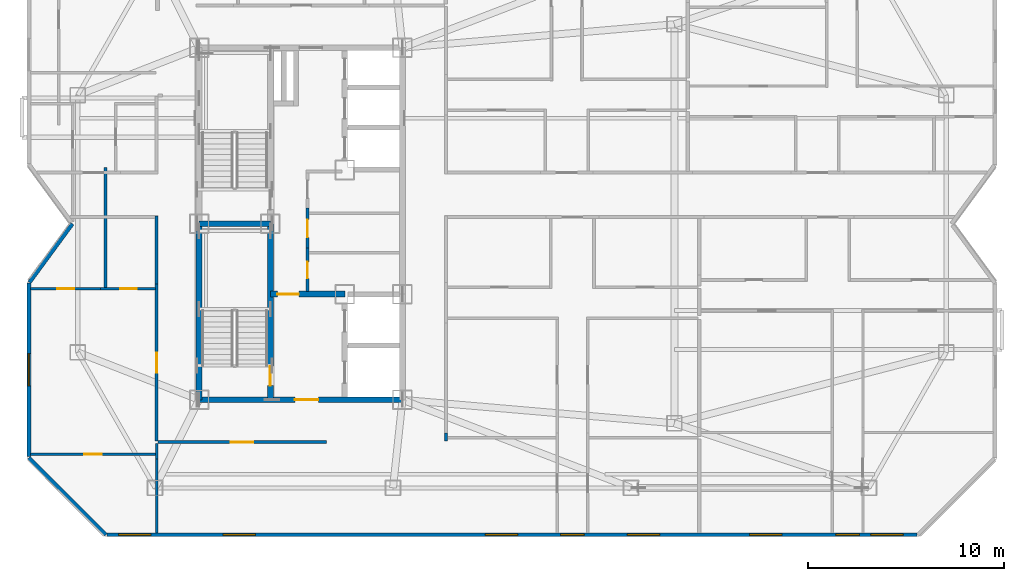
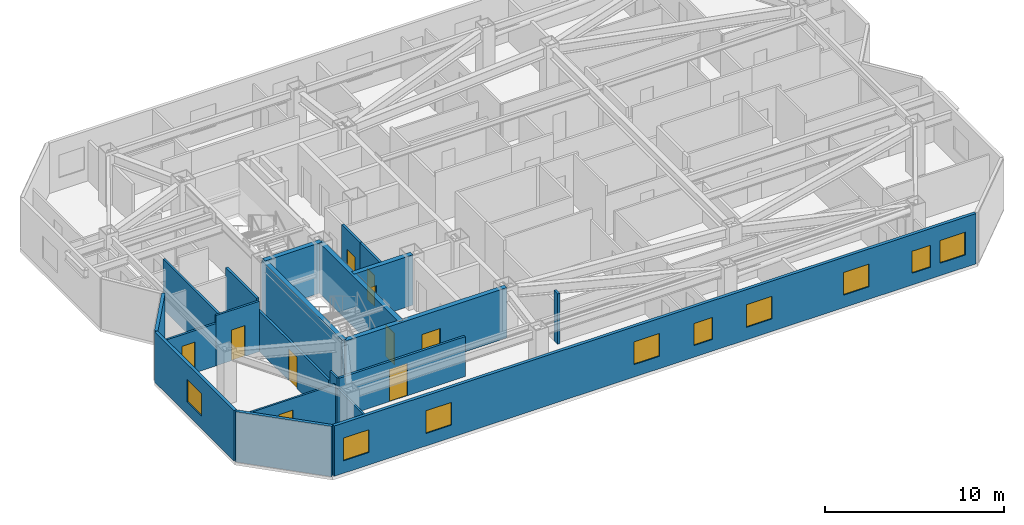
# One storey, part 4 of 10: 21 walls, 10 doors, 9 windows, 19 openings.
"""IFC4 building model written with IfcOpenShell, lengths in metres."""

from ifc_helpers import new_model, si_unit, direction, frame, frame_2d, origin, place, context, subcontext, project, spatial, rectangle, extrude, material, layer, layer_set, type_object, element, fill, save


model = new_model("IFC4")

# Units and contexts
model_context = context("Model", 3, precision=1e-05, world=origin(), true_north=direction((0.0, 1.0)))
body_context = subcontext(model_context, "Body", "Model", "MODEL_VIEW")
ifc_project = project(units=[si_unit("LENGTHUNIT", "METRE"), si_unit("AREAUNIT", "SQUARE_METRE"), si_unit("VOLUMEUNIT", "CUBIC_METRE"), si_unit("PLANEANGLEUNIT", "RADIAN"), si_unit("MASSUNIT", "GRAM", prefix="KILO")], contexts=[model_context])

# Site, building, storey
site_placement = place(None, origin())
site = spatial("IfcSite", under=ifc_project, at=site_placement, CompositionType="ELEMENT")
building_placement = place(site_placement, origin())
building = spatial("IfcBuilding", under=site, at=building_placement, Name="Khamvora Tower", CompositionType="ELEMENT")
storey_placement = place(building_placement, frame((0.0, 0.0, 257.35009765625)))
storey = spatial("IfcBuildingStorey", under=building, at=storey_placement, Name="L66", CompositionType="ELEMENT", Elevation=257.35009765625)

# Wall
ifc_material_1 = material(Name="Concrete C50/60", Category="concrete")
ifc_layer_1 = layer(ifc_material_1, 0.300048828125)
ifc_layer_set_1 = layer_set([ifc_layer_1], Name="Concrete C50/60")
wall_type_1 = type_object("IfcWallType", Name="WAL-CORE-300", PredefinedType="SHEAR", material=ifc_layer_set_1)
wall_1_placement = place(storey_placement, frame((29.0, 19.0, 0.0), z_axis=(0.0, 0.0, 1.0), x_axis=(0.0, 1.0, 0.0)))
element("IfcWall", 1, at=wall_1_placement, inside=storey, type_object=wall_type_1, Name="L66 central core west south wall", PredefinedType="SHEAR", context=body_context, shape_type="SweptSolid", body=[
    extrude(rectangle(XDim=9.0, YDim=0.300048828125, at=frame_2d((4.5, 0.0))), origin(), (0.0, 0.0, 1.0), 3.429931640625),
])

# Wall, opening, door
wall_2_placement = place(storey_placement, frame((29.0, 19.0, 0.0), z_axis=(0.0, 0.0, 1.0), x_axis=(1.0, 0.0, 0.0)))
wall_2 = element("IfcWall", 2, at=wall_2_placement, inside=storey, type_object=wall_type_1, Name="L66 central core south wall", PredefinedType="SHEAR", context=body_context, shape_type="SweptSolid", body=[
    extrude(rectangle(XDim=10.39990234375, YDim=0.300048828125, at=frame_2d((5.199951171875, 0.0))), origin(), (0.0, 0.0, 1.0), 3.429931640625),
])
opening_1_placement = place(wall_2_placement, frame((4.89990234375, 0.0, 0.0)))
opening_1 = element("IfcOpeningElement", 3, at=opening_1_placement, cuts=wall_2, Name="Opening D-CR1", PredefinedType="OPENING", context=body_context, shape_type="SweptSolid", body=[
    extrude(rectangle(XDim=1.199951171875, YDim=2.14990234375, at=frame_2d((0.60009765625, 1.074951171875))), frame((0.0, 0.159912109375, 0.0), z_axis=(0.0, -1.0, 0.0), x_axis=(1.0, 0.0, 0.0)), (0.0, 0.0, 1.0), 0.320068359375),
])
ifc_material_2 = material(Name="Powder-Coated Steel and Hardwood Leaf", Category="steel")
door_type_1 = type_object("IfcDoorType", Name="DOR-CORR-1200", OperationType="NOTDEFINED", PredefinedType="DOOR", material=ifc_material_2)
door_1_placement = place(opening_1_placement, origin())
door_1 = element("IfcDoor", 4, at=door_1_placement, inside=storey, type_object=door_type_1, Name="L66 south core lobby to corridor fire door", OperationType="SINGLE_SWING_RIGHT", OverallHeight=2.14990234375, OverallWidth=1.199951171875, PredefinedType="DOOR", context=body_context, shape_type="SweptSolid", body=[
    extrude(rectangle(XDim=1.199951171875, YDim=2.14990234375, at=frame_2d((0.60009765625, 1.074951171875))), frame((0.0, 0.02490234375, 0.0), z_axis=(0.0, -1.0, 0.0), x_axis=(1.0, 0.0, 0.0)), (0.0, 0.0, 1.0), 0.050048828125),
])
fill(opening_1, door_1)

wall_3_placement = place(storey_placement, frame((32.64990234375, 19.0, 0.0), z_axis=(0.0, 0.0, 1.0), x_axis=(0.0, 1.0, 0.0)))
wall_3 = element("IfcWall", 5, at=wall_3_placement, inside=storey, type_object=wall_type_1, Name="L66 central core stair south spine wall", PredefinedType="SHEAR", context=body_context, shape_type="SweptSolid", body=[
    extrude(rectangle(XDim=9.0, YDim=0.300048828125, at=frame_2d((4.5, 0.0))), origin(), (0.0, 0.0, 1.0), 3.429931640625),
])
opening_2_placement = place(wall_3_placement, frame((0.719970703125, 0.0, 0.0)))
opening_2 = element("IfcOpeningElement", 6, at=opening_2_placement, cuts=wall_3, Name="Opening D-ST1", PredefinedType="OPENING", context=body_context, shape_type="SweptSolid", body=[
    extrude(rectangle(XDim=1.0, YDim=2.14990234375, at=frame_2d((0.5, 1.074951171875))), frame((0.0, 0.159912109375, 0.0), z_axis=(0.0, -1.0, 0.0), x_axis=(1.0, 0.0, 0.0)), (0.0, 0.0, 1.0), 0.320068359375),
])
door_type_2 = type_object("IfcDoorType", Name="DOR-STAIR-1000", OperationType="NOTDEFINED", PredefinedType="DOOR", material=ifc_material_2)
door_2_placement = place(opening_2_placement, origin())
door_2 = element("IfcDoor", 7, at=door_2_placement, inside=storey, type_object=door_type_2, Name="L66 exit stair ST-01 fire door", OperationType="SINGLE_SWING_RIGHT", OverallHeight=2.14990234375, OverallWidth=1.0, PredefinedType="DOOR", context=body_context, shape_type="SweptSolid", body=[
    extrude(rectangle(XDim=1.0, YDim=2.14990234375, at=frame_2d((0.5, 1.074951171875))), frame((0.0, 0.02490234375, 0.0), z_axis=(0.0, -1.0, 0.0), x_axis=(1.0, 0.0, 0.0)), (0.0, 0.0, 1.0), 0.050048828125),
])
fill(opening_2, door_2)

# Wall
wall_4_placement = place(storey_placement, frame((29.0, 28.0, 0.0), z_axis=(0.0, 0.0, 1.0), x_axis=(1.0, 0.0, 0.0)))
element("IfcWall", 8, at=wall_4_placement, inside=storey, type_object=wall_type_1, Name="L66 central core stair cross wall", PredefinedType="SHEAR", context=body_context, shape_type="SweptSolid", body=[
    extrude(rectangle(XDim=3.64990234375, YDim=0.300048828125, at=frame_2d((1.824951171875, 0.0))), origin(), (0.0, 0.0, 1.0), 3.429931640625),
])

# Wall, opening, door
wall_5_placement = place(storey_placement, frame((32.64990234375, 24.39990234375, 0.0), z_axis=(0.0, 0.0, 1.0), x_axis=(1.0, 0.0, 0.0)))
wall_5 = element("IfcWall", 9, at=wall_5_placement, inside=storey, type_object=wall_type_1, Name="L66 central core firefighting lobby north wall", PredefinedType="SHEAR", context=body_context, shape_type="SweptSolid", body=[
    extrude(rectangle(XDim=3.800048828125, YDim=0.300048828125, at=frame_2d((1.89990234375, 0.0))), origin(), (0.0, 0.0, 1.0), 3.429931640625),
])
opening_3_placement = place(wall_5_placement, frame((0.35009765625, 0.0, 0.0)))
opening_3 = element("IfcOpeningElement", 10, at=opening_3_placement, cuts=wall_5, Name="Opening D-FF1", PredefinedType="OPENING", context=body_context, shape_type="SweptSolid", body=[
    extrude(rectangle(XDim=1.10009765625, YDim=2.14990234375, at=frame_2d((0.550048828125, 1.074951171875))), frame((0.0, 0.159912109375, 0.0), z_axis=(0.0, -1.0, 0.0), x_axis=(1.0, 0.0, 0.0)), (0.0, 0.0, 1.0), 0.320068359375),
])
door_type_3 = type_object("IfcDoorType", Name="DOR-FFLOB-1100", OperationType="NOTDEFINED", PredefinedType="DOOR", material=ifc_material_2)
door_3_placement = place(opening_3_placement, origin())
door_3 = element("IfcDoor", 11, at=door_3_placement, inside=storey, type_object=door_type_3, Name="L66 firefighting lobby smoke-seal fire door", OperationType="SINGLE_SWING_LEFT", OverallHeight=2.14990234375, OverallWidth=1.10009765625, PredefinedType="DOOR", context=body_context, shape_type="SweptSolid", body=[
    extrude(rectangle(XDim=1.10009765625, YDim=2.14990234375, at=frame_2d((0.550048828125, 1.074951171875))), frame((0.0, 0.02490234375, 0.0), z_axis=(0.0, -1.0, 0.0), x_axis=(1.0, 0.0, 0.0)), (0.0, 0.0, 1.0), 0.050048828125),
])
fill(opening_3, door_3)

ifc_material_3 = material(Name="Fire-Rated Drywall and Steel Stud", Category="steel")
ifc_layer_2 = layer(ifc_material_3, 0.14990234375)
ifc_layer_set_2 = layer_set([ifc_layer_2], Name="Fire-Rated Drywall and Steel Stud")
wall_type_2 = type_object("IfcWallType", Name="WAL-CORR-150", PredefinedType="STANDARD", material=ifc_layer_set_2)
wall_6_placement = place(storey_placement, frame((34.544921875, 26.763916015625, 0.0), z_axis=(0.0, 0.0, 1.0), x_axis=(0.0, -1.0, 0.0)))
wall_6 = element("IfcWall", 12, at=wall_6_placement, inside=storey, type_object=wall_type_2, Name="L66 interior partition wall 001", PredefinedType="STANDARD", context=body_context, shape_type="SweptSolid", body=[
    extrude(rectangle(XDim=2.219970703125, YDim=0.14990234375, at=frame_2d((1.10986328125, 0.0))), origin(), (0.0, 0.0, 1.0), 3.429931640625),
])
opening_4_placement = place(wall_6_placement, frame((0.7060546875, 0.0, 0.0)))
opening_4 = element("IfcOpeningElement", 13, at=opening_4_placement, cuts=wall_6, Name="Opening D-WC1", PredefinedType="OPENING", context=body_context, shape_type="SweptSolid", body=[
    extrude(rectangle(XDim=0.85009765625, YDim=2.10009765625, at=frame_2d((0.425048828125, 1.050048828125))), frame((0.0, 0.0849609375, 0.0), z_axis=(0.0, -1.0, 0.0), x_axis=(1.0, 0.0, 0.0)), (0.0, 0.0, 1.0), 0.169921875),
])
door_type_4 = type_object("IfcDoorType", Name="DOR-WET-850", OperationType="NOTDEFINED", PredefinedType="DOOR", material=ifc_material_2)
door_4_placement = place(opening_4_placement, origin())
door_4 = element("IfcDoor", 14, at=door_4_placement, inside=storey, type_object=door_type_4, Name="L66 interior door PHL-CS1", OperationType="SINGLE_SWING_RIGHT", OverallHeight=2.10009765625, OverallWidth=0.85009765625, PredefinedType="DOOR", context=body_context, shape_type="SweptSolid", body=[
    extrude(rectangle(XDim=0.85009765625, YDim=2.10009765625, at=frame_2d((0.425048828125, 1.050048828125))), frame((0.0, 0.02490234375, 0.0), z_axis=(0.0, -1.0, 0.0), x_axis=(1.0, 0.0, 0.0)), (0.0, 0.0, 1.0), 0.050048828125),
])
fill(opening_4, door_4)

wall_7_placement = place(storey_placement, frame((34.544921875, 28.7939453125, 0.0), z_axis=(0.0, 0.0, 1.0), x_axis=(0.0, -1.0, 0.0)))
wall_7 = element("IfcWall", 15, at=wall_7_placement, inside=storey, type_object=wall_type_2, Name="L66 interior partition wall 002", PredefinedType="STANDARD", context=body_context, shape_type="SweptSolid", body=[
    extrude(rectangle(XDim=2.030029296875, YDim=0.14990234375, at=frame_2d((1.01513671875, 0.0))), origin(), (0.0, 0.0, 1.0), 3.429931640625),
])
opening_5_placement = place(wall_7_placement, frame((0.5859375, 0.0, 0.0)))
opening_5 = element("IfcOpeningElement", 16, at=opening_5_placement, cuts=wall_7, Name="Opening D-RM1", PredefinedType="OPENING", context=body_context, shape_type="SweptSolid", body=[
    extrude(rectangle(XDim=0.89990234375, YDim=2.10009765625, at=frame_2d((0.449951171875, 1.050048828125))), frame((0.0, 0.0849609375, 0.0), z_axis=(0.0, -1.0, 0.0), x_axis=(1.0, 0.0, 0.0)), (0.0, 0.0, 1.0), 0.169921875),
])
door_type_5 = type_object("IfcDoorType", Name="DOR-ROOM-900", OperationType="NOTDEFINED", PredefinedType="DOOR", material=ifc_material_2)
door_5_placement = place(opening_5_placement, origin())
door_5 = element("IfcDoor", 17, at=door_5_placement, inside=storey, type_object=door_type_5, Name="L66 interior door PHL-CS2", OperationType="SINGLE_SWING_LEFT", OverallHeight=2.10009765625, OverallWidth=0.89990234375, PredefinedType="DOOR", context=body_context, shape_type="SweptSolid", body=[
    extrude(rectangle(XDim=0.89990234375, YDim=2.10009765625, at=frame_2d((0.449951171875, 1.050048828125))), frame((0.0, 0.02490234375, 0.0), z_axis=(0.0, -1.0, 0.0), x_axis=(1.0, 0.0, 0.0)), (0.0, 0.0, 1.0), 0.050048828125),
])
fill(opening_5, door_5)

wall_8_placement = place(storey_placement, frame((35.513916015625, 16.8349609375, 0.0), z_axis=(0.0, 0.0, 1.0), x_axis=(-1.0, 0.0, 0.0)))
wall_8 = element("IfcWall", 18, at=wall_8_placement, inside=storey, type_object=wall_type_2, Name="L66 interior partition wall 007", PredefinedType="STANDARD", context=body_context, shape_type="SweptSolid", body=[
    extrude(rectangle(XDim=8.614013671875, YDim=0.14990234375, at=frame_2d((4.30712890625, 0.0))), origin(), (0.0, 0.0, 1.0), 2.724853515625),
])
opening_6_placement = place(wall_8_placement, frame((3.7529296875, 0.0, 0.0)))
opening_6 = element("IfcOpeningElement", 19, at=opening_6_placement, cuts=wall_8, Name="Opening D-SC1", PredefinedType="OPENING", context=body_context, shape_type="SweptSolid", body=[
    extrude(rectangle(XDim=1.14990234375, YDim=2.199951171875, at=frame_2d((0.574951171875, 1.10009765625))), frame((0.0, 0.0849609375, 0.0), z_axis=(0.0, -1.0, 0.0), x_axis=(1.0, 0.0, 0.0)), (0.0, 0.0, 1.0), 0.169921875),
])
door_type_6 = type_object("IfcDoorType", Name="DOR-SCHL-1150", OperationType="NOTDEFINED", PredefinedType="DOOR", material=ifc_material_2)
door_6_placement = place(opening_6_placement, origin())
door_6 = element("IfcDoor", 20, at=door_6_placement, inside=storey, type_object=door_type_6, Name="L66 interior door COR-RCOW", OperationType="SINGLE_SWING_LEFT", OverallHeight=2.199951171875, OverallWidth=1.14990234375, PredefinedType="DOOR", context=body_context, shape_type="SweptSolid", body=[
    extrude(rectangle(XDim=1.14990234375, YDim=2.199951171875, at=frame_2d((0.574951171875, 1.10009765625))), frame((0.0, 0.02490234375, 0.0), z_axis=(0.0, -1.0, 0.0), x_axis=(1.0, 0.0, 0.0)), (0.0, 0.0, 1.0), 0.050048828125),
])
fill(opening_6, door_6)

wall_9_placement = place(storey_placement, frame((26.8349609375, 16.89990234375, 0.0), z_axis=(0.0, 0.0, 1.0), x_axis=(0.0, 1.0, 0.0)))
wall_9 = element("IfcWall", 21, at=wall_9_placement, inside=storey, type_object=wall_type_2, Name="L66 interior partition wall 008", PredefinedType="STANDARD", context=body_context, shape_type="SweptSolid", body=[
    extrude(rectangle(XDim=8.033203125, YDim=0.14990234375, at=frame_2d((4.0166015625, 0.0))), origin(), (0.0, 0.0, 1.0), 2.724853515625),
])
opening_7_placement = place(wall_9_placement, frame((3.4951171875, 0.0, 0.0)))
opening_7 = element("IfcOpeningElement", 22, at=opening_7_placement, cuts=wall_9, Name="Opening D-U1", PredefinedType="OPENING", context=body_context, shape_type="SweptSolid", body=[
    extrude(rectangle(XDim=1.0, YDim=2.14990234375, at=frame_2d((0.5, 1.074951171875))), frame((0.0, 0.0849609375, 0.0), z_axis=(0.0, -1.0, 0.0), x_axis=(1.0, 0.0, 0.0)), (0.0, 0.0, 1.0), 0.169921875),
])
door_type_7 = type_object("IfcDoorType", Name="DOR-UNIT-1000", OperationType="NOTDEFINED", PredefinedType="DOOR", material=ifc_material_2)
door_7_placement = place(opening_7_placement, origin())
door_7 = element("IfcDoor", 23, at=door_7_placement, inside=storey, type_object=door_type_7, Name="L66 interior door COR-66WAH", OperationType="SINGLE_SWING_RIGHT", OverallHeight=2.14990234375, OverallWidth=1.0, PredefinedType="DOOR", context=body_context, shape_type="SweptSolid", body=[
    extrude(rectangle(XDim=1.0, YDim=2.14990234375, at=frame_2d((0.5, 1.074951171875))), frame((0.0, 0.02490234375, 0.0), z_axis=(0.0, -1.0, 0.0), x_axis=(1.0, 0.0, 0.0)), (0.0, 0.0, 1.0), 0.050048828125),
])
fill(opening_7, door_7)

# Walls
wall_10_placement = place(storey_placement, frame((26.8349609375, 24.93310546875, 0.0), z_axis=(0.0, 0.0, 1.0), x_axis=(0.0, 1.0, 0.0)))
element("IfcWall", 24, at=wall_10_placement, inside=storey, type_object=wall_type_2, Name="L66 interior partition wall 009", PredefinedType="STANDARD", context=body_context, shape_type="SweptSolid", body=[
    extrude(rectangle(XDim=3.466796875, YDim=0.14990234375, at=frame_2d((1.7333984375, 0.0))), origin(), (0.0, 0.0, 1.0), 3.429931640625),
])
wall_11_placement = place(storey_placement, frame((41.614990234375, 17.31396484375, 0.0), z_axis=(0.0, 0.0, 1.0), x_axis=(0.0, -1.0, 0.0)))
element("IfcWall", 25, at=wall_11_placement, inside=storey, type_object=wall_type_2, Name="L66 interior partition wall 024", PredefinedType="STANDARD", context=body_context, shape_type="SweptSolid", body=[
    extrude(rectangle(XDim=0.4140625, YDim=0.14990234375, at=frame_2d((0.20703125, 0.0))), origin(), (0.0, 0.0, 1.0), 3.429931640625),
])
ifc_material_4 = material(Name="Precast concrete C40/50", Category="concrete")
ifc_layer_3 = layer(ifc_material_4, 0.199951171875)
ifc_layer_set_3 = layer_set([ifc_layer_3], Name="Precast concrete C40/50")
wall_type_3 = type_object("IfcWallType", Name="WAL-EXT-200", PredefinedType="STANDARD", material=ifc_layer_set_3)
wall_12_placement = place(storey_placement, frame((24.240966796875, 12.10009765625, 0.0), z_axis=(0.0, 0.0, 1.0), x_axis=(-0.707106781187, 0.707106781187, 0.0)))
element("IfcWall", 26, at=wall_12_placement, inside=storey, type_object=wall_type_3, Name="L66 exterior facade wall 01.1", PredefinedType="STANDARD", context=body_context, shape_type="SweptSolid", body=[
    extrude(rectangle(XDim=5.5732421875, YDim=0.199951171875, at=frame_2d((2.78662109375, 0.0))), origin(), (0.0, 0.0, 1.0), 3.429931640625),
])

# Wall, opening, window
wall_13_placement = place(storey_placement, frame((20.300048828125, 16.10400390625, 0.0), z_axis=(0.0, 0.0, 1.0), x_axis=(0.0, 1.0, 0.0)))
wall_13 = element("IfcWall", 27, at=wall_13_placement, inside=storey, type_object=wall_type_3, Name="L66 exterior facade wall 02.1", PredefinedType="STANDARD", context=body_context, shape_type="SweptSolid", body=[
    extrude(rectangle(XDim=8.863037109375, YDim=0.199951171875, at=frame_2d((4.431640625, 0.0))), origin(), (0.0, 0.0, 1.0), 3.429931640625),
])
opening_8_placement = place(wall_13_placement, frame((3.60595703125, 0.0, 0.85009765625)))
opening_8 = element("IfcOpeningElement", 28, at=opening_8_placement, cuts=wall_13, Name="Opening WN-06", PredefinedType="OPENING", context=body_context, shape_type="SweptSolid", body=[
    extrude(rectangle(XDim=1.64990234375, YDim=1.550048828125, at=frame_2d((0.824951171875, 0.77490234375))), frame((0.0, 0.10986328125, 0.0), z_axis=(0.0, -1.0, 0.0), x_axis=(1.0, 0.0, 0.0)), (0.0, 0.0, 1.0), 0.219970703125),
])
ifc_material_5 = material(Name="Low-E Laminated Double Glazing", Category="glass")
window_type_1 = type_object("IfcWindowType", Name="WIN-VIS-1650x1550", PartitioningType="SINGLE_PANEL", PredefinedType="WINDOW", material=ifc_material_5)
window_1_placement = place(opening_8_placement, origin())
window_1 = element("IfcWindow", 29, at=window_1_placement, inside=storey, type_object=window_type_1, Name="L66 vision window 02.1.01", OverallHeight=1.550048828125, OverallWidth=1.64990234375, PartitioningType="SINGLE_PANEL", PredefinedType="WINDOW", context=body_context, shape_type="SweptSolid", body=[
    extrude(rectangle(XDim=1.64990234375, YDim=1.550048828125, at=frame_2d((0.824951171875, 0.77490234375))), frame((0.0, 0.030029296875, 0.0), z_axis=(0.0, -1.0, 0.0), x_axis=(1.0, 0.0, 0.0)), (0.0, 0.0, 1.0), 0.06005859375),
])
fill(opening_8, window_1)

# Wall
wall_14_placement = place(storey_placement, frame((20.3291015625, 25.007080078125, 0.0), z_axis=(0.0, 0.0, 1.0), x_axis=(0.591366515379, 0.806402904564, 0.0)))
element("IfcWall", 30, at=wall_14_placement, inside=storey, type_object=wall_type_3, Name="L66 exterior facade wall 03.1", PredefinedType="STANDARD", context=body_context, shape_type="SweptSolid", body=[
    extrude(rectangle(XDim=3.71142578125, YDim=0.199951171875, at=frame_2d((1.855712890625, 0.0))), origin(), (0.0, 0.0, 1.0), 3.429931640625),
])

# Wall, openings, windows
wall_15_placement = place(storey_placement, frame((65.696044921875, 12.10009765625, 0.0), z_axis=(0.0, 0.0, 1.0), x_axis=(-1.0, 0.0, 0.0)))
wall_15 = element("IfcWall", 31, at=wall_15_placement, inside=storey, type_object=wall_type_3, Name="L66 exterior facade wall 14.1", PredefinedType="STANDARD", context=body_context, shape_type="SweptSolid", body=[
    extrude(rectangle(XDim=41.39306640625, YDim=0.199951171875, at=frame_2d((20.696533203125, 0.0))), origin(), (0.0, 0.0, 1.0), 3.429931640625),
])
opening_9_placement = place(wall_15_placement, frame((33.821044921875, 0.0, 0.85009765625)))
opening_9 = element("IfcOpeningElement", 32, at=opening_9_placement, cuts=wall_15, Name="Opening WN-06", PredefinedType="OPENING", context=body_context, shape_type="SweptSolid", body=[
    extrude(rectangle(XDim=1.64990234375, YDim=1.550048828125, at=frame_2d((0.824951171875, 0.77490234375))), frame((0.0, 0.10986328125, 0.0), z_axis=(0.0, -1.0, 0.0), x_axis=(1.0, 0.0, 0.0)), (0.0, 0.0, 1.0), 0.219970703125),
])
opening_10_placement = place(wall_15_placement, frame((39.159912109375, 0.0, 0.85009765625)))
opening_10 = element("IfcOpeningElement", 33, at=opening_10_placement, cuts=wall_15, Name="Opening WN-06", PredefinedType="OPENING", context=body_context, shape_type="SweptSolid", body=[
    extrude(rectangle(XDim=1.64990234375, YDim=1.550048828125, at=frame_2d((0.824951171875, 0.77490234375))), frame((0.0, 0.10986328125, 0.0), z_axis=(0.0, -1.0, 0.0), x_axis=(1.0, 0.0, 0.0)), (0.0, 0.0, 1.0), 0.219970703125),
])
opening_11_placement = place(wall_15_placement, frame((17.006103515625, 0.0, 0.800048828125)))
opening_11 = element("IfcOpeningElement", 34, at=opening_11_placement, cuts=wall_15, Name="Opening WN-03", PredefinedType="OPENING", context=body_context, shape_type="SweptSolid", body=[
    extrude(rectangle(XDim=1.199951171875, YDim=1.5, at=frame_2d((0.60009765625, 0.75))), frame((0.0, 0.10986328125, 0.0), z_axis=(0.0, -1.0, 0.0), x_axis=(1.0, 0.0, 0.0)), (0.0, 0.0, 1.0), 0.219970703125),
])
opening_12_placement = place(wall_15_placement, frame((20.410888671875, 0.0, 0.85009765625)))
opening_12 = element("IfcOpeningElement", 35, at=opening_12_placement, cuts=wall_15, Name="Opening WN-06", PredefinedType="OPENING", context=body_context, shape_type="SweptSolid", body=[
    extrude(rectangle(XDim=1.64990234375, YDim=1.550048828125, at=frame_2d((0.824951171875, 0.77490234375))), frame((0.0, 0.10986328125, 0.0), z_axis=(0.0, -1.0, 0.0), x_axis=(1.0, 0.0, 0.0)), (0.0, 0.0, 1.0), 0.219970703125),
])
opening_13_placement = place(wall_15_placement, frame((13.15087890625, 0.0, 0.85009765625)))
opening_13 = element("IfcOpeningElement", 36, at=opening_13_placement, cuts=wall_15, Name="Opening WN-06", PredefinedType="OPENING", context=body_context, shape_type="SweptSolid", body=[
    extrude(rectangle(XDim=1.64990234375, YDim=1.550048828125, at=frame_2d((0.824951171875, 0.77490234375))), frame((0.0, 0.10986328125, 0.0), z_axis=(0.0, -1.0, 0.0), x_axis=(1.0, 0.0, 0.0)), (0.0, 0.0, 1.0), 0.219970703125),
])
opening_14_placement = place(wall_15_placement, frame((2.93603515625, 0.0, 0.800048828125)))
opening_14 = element("IfcOpeningElement", 37, at=opening_14_placement, cuts=wall_15, Name="Opening WN-03", PredefinedType="OPENING", context=body_context, shape_type="SweptSolid", body=[
    extrude(rectangle(XDim=1.199951171875, YDim=1.5, at=frame_2d((0.60009765625, 0.75))), frame((0.0, 0.10986328125, 0.0), z_axis=(0.0, -1.0, 0.0), x_axis=(1.0, 0.0, 0.0)), (0.0, 0.0, 1.0), 0.219970703125),
])
opening_15_placement = place(wall_15_placement, frame((6.90087890625, 0.0, 0.85009765625)))
opening_15 = element("IfcOpeningElement", 38, at=opening_15_placement, cuts=wall_15, Name="Opening WN-06", PredefinedType="OPENING", context=body_context, shape_type="SweptSolid", body=[
    extrude(rectangle(XDim=1.64990234375, YDim=1.550048828125, at=frame_2d((0.824951171875, 0.77490234375))), frame((0.0, 0.10986328125, 0.0), z_axis=(0.0, -1.0, 0.0), x_axis=(1.0, 0.0, 0.0)), (0.0, 0.0, 1.0), 0.219970703125),
])
opening_16_placement = place(wall_15_placement, frame((0.693115234375, 0.0, 0.85009765625)))
opening_16 = element("IfcOpeningElement", 39, at=opening_16_placement, cuts=wall_15, Name="Opening WN-06", PredefinedType="OPENING", context=body_context, shape_type="SweptSolid", body=[
    extrude(rectangle(XDim=1.64990234375, YDim=1.550048828125, at=frame_2d((0.824951171875, 0.77490234375))), frame((0.0, 0.10986328125, 0.0), z_axis=(0.0, -1.0, 0.0), x_axis=(1.0, 0.0, 0.0)), (0.0, 0.0, 1.0), 0.219970703125),
])
window_type_2 = type_object("IfcWindowType", Name="WIN-VIS-1200x1500", PartitioningType="SINGLE_PANEL", PredefinedType="WINDOW", material=ifc_material_5)
window_2_placement = place(opening_11_placement, origin())
window_2 = element("IfcWindow", 40, at=window_2_placement, inside=storey, type_object=window_type_2, Name="L66 vision window 14.1.03", OverallHeight=1.5, OverallWidth=1.199951171875, PartitioningType="SINGLE_PANEL", PredefinedType="WINDOW", context=body_context, shape_type="SweptSolid", body=[
    extrude(rectangle(XDim=1.199951171875, YDim=1.5, at=frame_2d((0.60009765625, 0.75))), frame((0.0, 0.030029296875, 0.0), z_axis=(0.0, -1.0, 0.0), x_axis=(1.0, 0.0, 0.0)), (0.0, 0.0, 1.0), 0.06005859375),
])
fill(opening_11, window_2)
window_3_placement = place(opening_14_placement, origin())
window_3 = element("IfcWindow", 41, at=window_3_placement, inside=storey, type_object=window_type_2, Name="L66 vision window 14.1.06", OverallHeight=1.5, OverallWidth=1.199951171875, PartitioningType="SINGLE_PANEL", PredefinedType="WINDOW", context=body_context, shape_type="SweptSolid", body=[
    extrude(rectangle(XDim=1.199951171875, YDim=1.5, at=frame_2d((0.60009765625, 0.75))), frame((0.0, 0.030029296875, 0.0), z_axis=(0.0, -1.0, 0.0), x_axis=(1.0, 0.0, 0.0)), (0.0, 0.0, 1.0), 0.06005859375),
])
fill(opening_14, window_3)
window_4_placement = place(opening_9_placement, origin())
window_4 = element("IfcWindow", 42, at=window_4_placement, inside=storey, type_object=window_type_1, Name="L66 vision window 14.1.01", OverallHeight=1.550048828125, OverallWidth=1.64990234375, PartitioningType="SINGLE_PANEL", PredefinedType="WINDOW", context=body_context, shape_type="SweptSolid", body=[
    extrude(rectangle(XDim=1.64990234375, YDim=1.550048828125, at=frame_2d((0.824951171875, 0.77490234375))), frame((0.0, 0.030029296875, 0.0), z_axis=(0.0, -1.0, 0.0), x_axis=(1.0, 0.0, 0.0)), (0.0, 0.0, 1.0), 0.06005859375),
])
fill(opening_9, window_4)
window_5_placement = place(opening_10_placement, origin())
window_5 = element("IfcWindow", 43, at=window_5_placement, inside=storey, type_object=window_type_1, Name="L66 vision window 14.1.02", OverallHeight=1.550048828125, OverallWidth=1.64990234375, PartitioningType="SINGLE_PANEL", PredefinedType="WINDOW", context=body_context, shape_type="SweptSolid", body=[
    extrude(rectangle(XDim=1.64990234375, YDim=1.550048828125, at=frame_2d((0.824951171875, 0.77490234375))), frame((0.0, 0.030029296875, 0.0), z_axis=(0.0, -1.0, 0.0), x_axis=(1.0, 0.0, 0.0)), (0.0, 0.0, 1.0), 0.06005859375),
])
fill(opening_10, window_5)
window_6_placement = place(opening_12_placement, origin())
window_6 = element("IfcWindow", 44, at=window_6_placement, inside=storey, type_object=window_type_1, Name="L66 vision window 14.1.04", OverallHeight=1.550048828125, OverallWidth=1.64990234375, PartitioningType="SINGLE_PANEL", PredefinedType="WINDOW", context=body_context, shape_type="SweptSolid", body=[
    extrude(rectangle(XDim=1.64990234375, YDim=1.550048828125, at=frame_2d((0.824951171875, 0.77490234375))), frame((0.0, 0.030029296875, 0.0), z_axis=(0.0, -1.0, 0.0), x_axis=(1.0, 0.0, 0.0)), (0.0, 0.0, 1.0), 0.06005859375),
])
fill(opening_12, window_6)
window_7_placement = place(opening_13_placement, origin())
window_7 = element("IfcWindow", 45, at=window_7_placement, inside=storey, type_object=window_type_1, Name="L66 vision window 14.1.05", OverallHeight=1.550048828125, OverallWidth=1.64990234375, PartitioningType="SINGLE_PANEL", PredefinedType="WINDOW", context=body_context, shape_type="SweptSolid", body=[
    extrude(rectangle(XDim=1.64990234375, YDim=1.550048828125, at=frame_2d((0.824951171875, 0.77490234375))), frame((0.0, 0.030029296875, 0.0), z_axis=(0.0, -1.0, 0.0), x_axis=(1.0, 0.0, 0.0)), (0.0, 0.0, 1.0), 0.06005859375),
])
fill(opening_13, window_7)
window_8_placement = place(opening_15_placement, origin())
window_8 = element("IfcWindow", 46, at=window_8_placement, inside=storey, type_object=window_type_1, Name="L66 vision window 14.1.07", OverallHeight=1.550048828125, OverallWidth=1.64990234375, PartitioningType="SINGLE_PANEL", PredefinedType="WINDOW", context=body_context, shape_type="SweptSolid", body=[
    extrude(rectangle(XDim=1.64990234375, YDim=1.550048828125, at=frame_2d((0.824951171875, 0.77490234375))), frame((0.0, 0.030029296875, 0.0), z_axis=(0.0, -1.0, 0.0), x_axis=(1.0, 0.0, 0.0)), (0.0, 0.0, 1.0), 0.06005859375),
])
fill(opening_15, window_8)
window_9_placement = place(opening_16_placement, origin())
window_9 = element("IfcWindow", 47, at=window_9_placement, inside=storey, type_object=window_type_1, Name="L66 vision window 14.1.08", OverallHeight=1.550048828125, OverallWidth=1.64990234375, PartitioningType="SINGLE_PANEL", PredefinedType="WINDOW", context=body_context, shape_type="SweptSolid", body=[
    extrude(rectangle(XDim=1.64990234375, YDim=1.550048828125, at=frame_2d((0.824951171875, 0.77490234375))), frame((0.0, 0.030029296875, 0.0), z_axis=(0.0, -1.0, 0.0), x_axis=(1.0, 0.0, 0.0)), (0.0, 0.0, 1.0), 0.06005859375),
])
fill(opening_16, window_9)

# Walls
ifc_material_6 = material(Name="Gypsum Plasterboard Partition", Category="gypsum")
ifc_layer_4 = layer(ifc_material_6, 0.1201171875)
ifc_layer_set_4 = layer_set([ifc_layer_4], Name="Gypsum Plasterboard Partition")
wall_type_4 = type_object("IfcWallType", Name="WAL-PART-120", PredefinedType="PARTITIONING", material=ifc_layer_set_4)
wall_16_placement = place(storey_placement, frame((26.8349609375, 15.9609375, 0.0), z_axis=(0.0, 0.0, 1.0), x_axis=(0.0, 1.0, 0.0)))
element("IfcWall", 48, at=wall_16_placement, inside=storey, type_object=wall_type_4, Name="L66 interior partition wall 039", PredefinedType="PARTITIONING", context=body_context, shape_type="SweptSolid", body=[
    extrude(rectangle(XDim=0.80908203125, YDim=0.1201171875, at=frame_2d((0.404541015625, 0.0))), origin(), (0.0, 0.0, 1.0), 3.429931640625),
])
wall_17_placement = place(storey_placement, frame((26.8349609375, 12.19189453125, 0.0), z_axis=(0.0, 0.0, 1.0), x_axis=(0.0, 1.0, 0.0)))
element("IfcWall", 49, at=wall_17_placement, inside=storey, type_object=wall_type_4, Name="L66 interior partition wall 040", PredefinedType="PARTITIONING", context=body_context, shape_type="SweptSolid", body=[
    extrude(rectangle(XDim=3.76904296875, YDim=0.1201171875, at=frame_2d((1.884521484375, 0.0))), origin(), (0.0, 0.0, 1.0), 2.724853515625),
])

# Wall, opening, door
wall_18_placement = place(storey_placement, frame((26.781005859375, 16.2099609375, 0.0), z_axis=(0.0, 0.0, 1.0), x_axis=(-1.0, 0.0, 0.0)))
wall_18 = element("IfcWall", 50, at=wall_18_placement, inside=storey, type_object=wall_type_4, Name="L66 interior partition wall 043", PredefinedType="PARTITIONING", context=body_context, shape_type="SweptSolid", body=[
    extrude(rectangle(XDim=6.388916015625, YDim=0.1201171875, at=frame_2d((3.1943359375, 0.0))), origin(), (0.0, 0.0, 1.0), 2.886962890625),
])
opening_17_placement = place(wall_18_placement, frame((2.743896484375, 0.0, 0.0)))
opening_17 = element("IfcOpeningElement", 51, at=opening_17_placement, cuts=wall_18, Name="Opening D-RM1", PredefinedType="OPENING", context=body_context, shape_type="SweptSolid", body=[
    extrude(rectangle(XDim=0.89990234375, YDim=2.10009765625, at=frame_2d((0.449951171875, 1.050048828125))), frame((0.0, 0.070068359375, 0.0), z_axis=(0.0, -1.0, 0.0), x_axis=(1.0, 0.0, 0.0)), (0.0, 0.0, 1.0), 0.14013671875),
])
door_8_placement = place(opening_17_placement, origin())
door_8 = element("IfcDoor", 52, at=door_8_placement, inside=storey, type_object=door_type_5, Name="L66 interior door 66WAH-66WAR1", OperationType="SINGLE_SWING_LEFT", OverallHeight=2.10009765625, OverallWidth=0.89990234375, PredefinedType="DOOR", context=body_context, shape_type="SweptSolid", body=[
    extrude(rectangle(XDim=0.89990234375, YDim=2.10009765625, at=frame_2d((0.449951171875, 1.050048828125))), frame((0.0, 0.02490234375, 0.0), z_axis=(0.0, -1.0, 0.0), x_axis=(1.0, 0.0, 0.0)), (0.0, 0.0, 1.0), 0.050048828125),
])
fill(opening_17, door_8)

ifc_material_7 = material(Name="Moisture-Resistant Plasterboard Partition", Category="gypsum")
ifc_layer_5 = layer(ifc_material_7, 0.135009765625)
ifc_layer_set_5 = layer_set([ifc_layer_5], Name="Moisture-Resistant Plasterboard Partition")
wall_type_5 = type_object("IfcWallType", Name="WAL-WET-135", PredefinedType="PARTITIONING", material=ifc_layer_set_5)
wall_19_placement = place(storey_placement, frame((23.970947265625, 24.68408203125, 0.0), z_axis=(0.0, 0.0, 1.0), x_axis=(1.0, 0.0, 0.0)))
wall_19 = element("IfcWall", 53, at=wall_19_placement, inside=storey, type_object=wall_type_5, Name="L66 interior partition wall 041", PredefinedType="PARTITIONING", context=body_context, shape_type="SweptSolid", body=[
    extrude(rectangle(XDim=2.799072265625, YDim=0.135009765625, at=frame_2d((1.3994140625, 0.0))), origin(), (0.0, 0.0, 1.0), 3.429931640625),
])
opening_18_placement = place(wall_19_placement, frame((0.9951171875, 0.0, 0.0)))
opening_18 = element("IfcOpeningElement", 54, at=opening_18_placement, cuts=wall_19, Name="Opening D-WC1", PredefinedType="OPENING", context=body_context, shape_type="SweptSolid", body=[
    extrude(rectangle(XDim=0.85009765625, YDim=2.10009765625, at=frame_2d((0.425048828125, 1.050048828125))), frame((0.0, 0.077392578125, 0.0), z_axis=(0.0, -1.0, 0.0), x_axis=(1.0, 0.0, 0.0)), (0.0, 0.0, 1.0), 0.155029296875),
])
door_9_placement = place(opening_18_placement, origin())
door_9 = element("IfcDoor", 55, at=door_9_placement, inside=storey, type_object=door_type_4, Name="L66 interior door 66WAH-66WAB", OperationType="SINGLE_SWING_LEFT", OverallHeight=2.10009765625, OverallWidth=0.85009765625, PredefinedType="DOOR", context=body_context, shape_type="SweptSolid", body=[
    extrude(rectangle(XDim=0.85009765625, YDim=2.10009765625, at=frame_2d((0.425048828125, 1.050048828125))), frame((0.0, 0.02490234375, 0.0), z_axis=(0.0, -1.0, 0.0), x_axis=(1.0, 0.0, 0.0)), (0.0, 0.0, 1.0), 0.050048828125),
])
fill(opening_18, door_9)

wall_20_placement = place(storey_placement, frame((20.39208984375, 24.68408203125, 0.0), z_axis=(0.0, 0.0, 1.0), x_axis=(1.0, 0.0, 0.0)))
wall_20 = element("IfcWall", 56, at=wall_20_placement, inside=storey, type_object=wall_type_5, Name="L66 interior partition wall 042", PredefinedType="PARTITIONING", context=body_context, shape_type="SweptSolid", body=[
    extrude(rectangle(XDim=3.578857421875, YDim=0.135009765625, at=frame_2d((1.78955078125, 0.0))), origin(), (0.0, 0.0, 1.0), 2.886962890625),
])
opening_19_placement = place(wall_20_placement, frame((1.364990234375, 0.0, 0.0)))
opening_19 = element("IfcOpeningElement", 57, at=opening_19_placement, cuts=wall_20, Name="Opening D-RM2", PredefinedType="OPENING", context=body_context, shape_type="SweptSolid", body=[
    extrude(rectangle(XDim=0.85009765625, YDim=2.10009765625, at=frame_2d((0.425048828125, 1.050048828125))), frame((0.0, 0.077392578125, 0.0), z_axis=(0.0, -1.0, 0.0), x_axis=(1.0, 0.0, 0.0)), (0.0, 0.0, 1.0), 0.155029296875),
])
door_type_8 = type_object("IfcDoorType", Name="DOR-ROOM-850", OperationType="NOTDEFINED", PredefinedType="DOOR", material=ifc_material_2)
door_10_placement = place(opening_19_placement, origin())
door_10 = element("IfcDoor", 58, at=door_10_placement, inside=storey, type_object=door_type_8, Name="L66 interior door 66WAH-66WAK", OperationType="SINGLE_SWING_RIGHT", OverallHeight=2.10009765625, OverallWidth=0.85009765625, PredefinedType="DOOR", context=body_context, shape_type="SweptSolid", body=[
    extrude(rectangle(XDim=0.85009765625, YDim=2.10009765625, at=frame_2d((0.425048828125, 1.050048828125))), frame((0.0, 0.02490234375, 0.0), z_axis=(0.0, -1.0, 0.0), x_axis=(1.0, 0.0, 0.0)), (0.0, 0.0, 1.0), 0.050048828125),
])
fill(opening_19, door_10)

# Wall
wall_21_placement = place(storey_placement, frame((24.219970703125, 24.7451171875, 0.0), z_axis=(0.0, 0.0, 1.0), x_axis=(0.0, 1.0, 0.0)))
element("IfcWall", 59, at=wall_21_placement, inside=storey, type_object=wall_type_5, Name="L66 interior partition wall 044", PredefinedType="PARTITIONING", context=body_context, shape_type="SweptSolid", body=[
    extrude(rectangle(XDim=6.125, YDim=0.135009765625, at=frame_2d((3.0625, 0.0))), origin(), (0.0, 0.0, 1.0), 3.429931640625),
])

save(model, "model.ifc")
